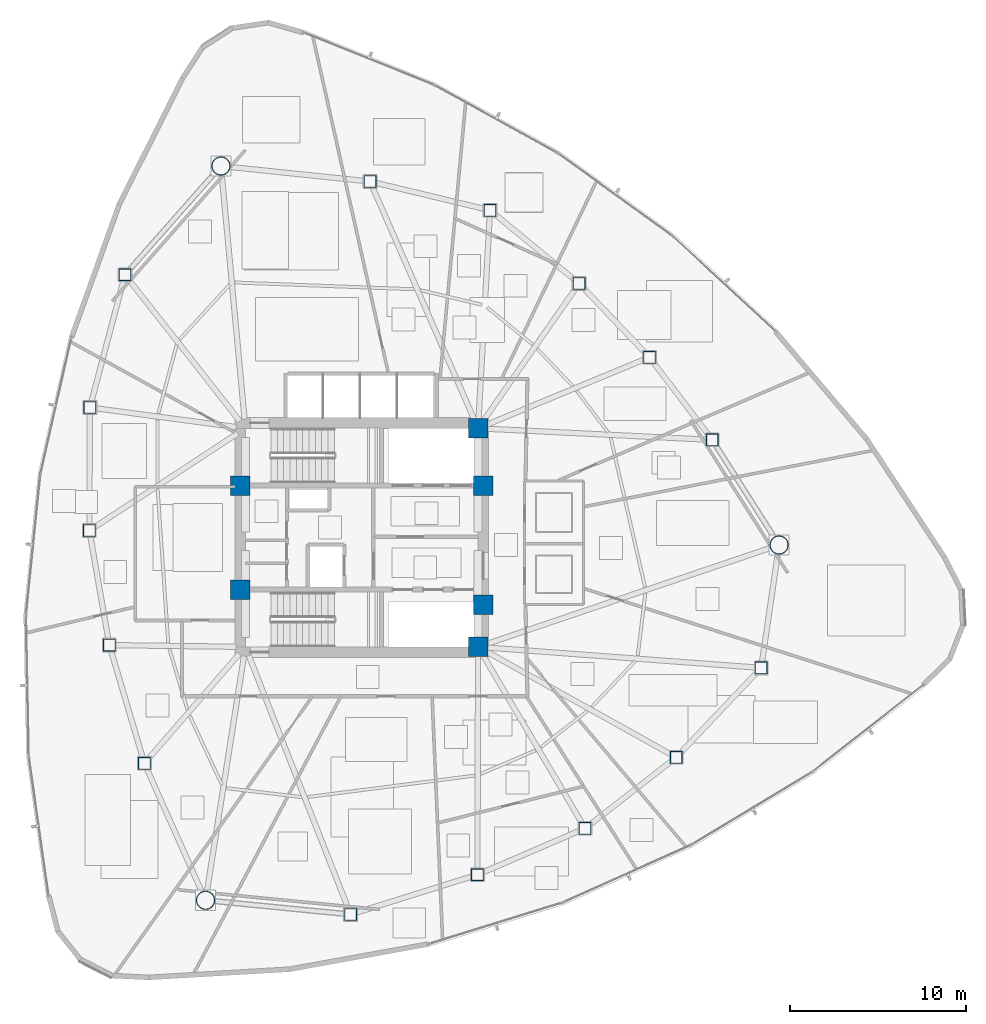
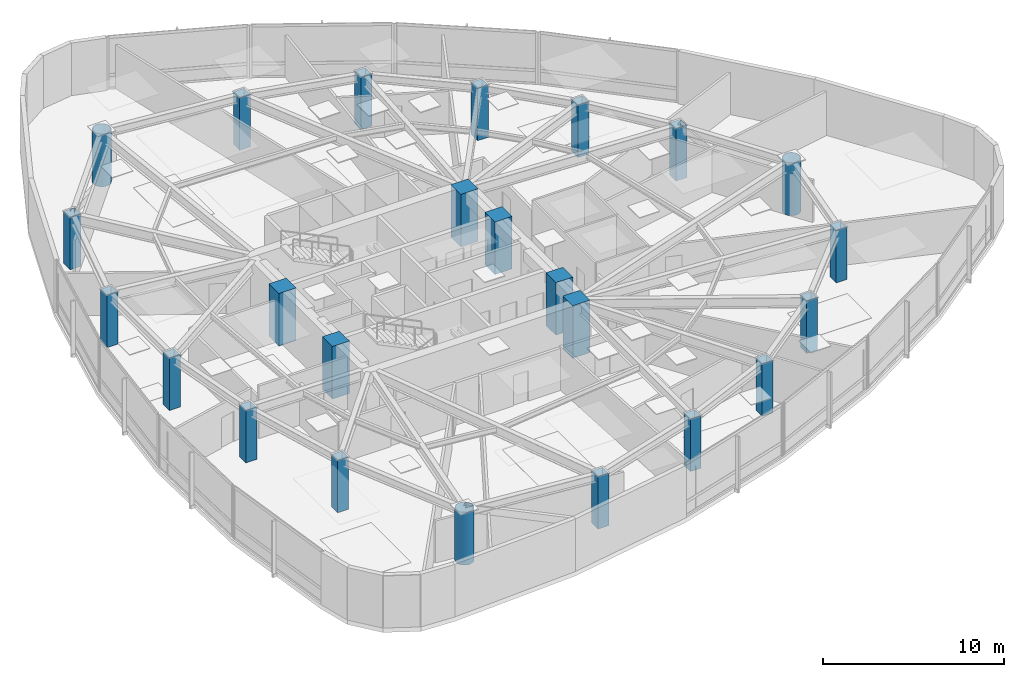
# One storey, part 1 of 17: 24 columns.
"""IFC4 building model written with IfcOpenShell, lengths in metres."""

from ifc_helpers import new_model, si_unit, direction, frame, origin, origin_2d, place, context, subcontext, project, spatial, rectangle, hollow_rectangle, hollow_circle, extrude, material, material_profile, profile_set, type_object, element, save


model = new_model("IFC4")

# Units and contexts
model_context = context("Model", 3, precision=1e-05, world=origin(), true_north=direction((0.0, 1.0)))
body_context = subcontext(model_context, "Body", "Model", "MODEL_VIEW")
ifc_project = project(units=[si_unit("LENGTHUNIT", "METRE"), si_unit("AREAUNIT", "SQUARE_METRE"), si_unit("VOLUMEUNIT", "CUBIC_METRE"), si_unit("PLANEANGLEUNIT", "RADIAN"), si_unit("MASSUNIT", "GRAM", prefix="KILO")], contexts=[model_context])

# Site, building, storey
site_placement = place(None, origin())
site = spatial("IfcSite", under=ifc_project, at=site_placement, CompositionType="ELEMENT")
building_placement = place(site_placement, origin())
building = spatial("IfcBuilding", under=site, at=building_placement, Name="Tavelor Broadcast Tower", CompositionType="ELEMENT")
storey_placement = place(building_placement, frame((0.0, 0.0, 119.449951171875)))
storey = spatial("IfcBuildingStorey", under=building, at=storey_placement, Name="L27", CompositionType="ELEMENT", Elevation=119.449951171875)

# Columns
ifc_material_1 = material(Name="Concrete C60/75", Category="concrete")
ifc_material_profile_1 = material_profile(ifc_material_1, rectangle(XDim=1.10009765625, YDim=1.10009765625, at=origin_2d()), Name="RC 1100x1100")
ifc_profile_set_1 = profile_set([ifc_material_profile_1], Name="Concrete C60/75")
column_type_1 = type_object("IfcColumnType", Name="Core Embedded Composite Column RC1100", PredefinedType="COLUMN", material=ifc_profile_set_1)
for number, where, z_axis, x_axis, name in (
    (1, (43.10009765625, 47.949951171875, 0.0), (0.0, 0.0, 1.0), (1.0, 0.0, 0.0), "L27 Core Embedded Column 1"),
    (2, (56.89990234375, 47.949951171875, 0.0), (0.0, 0.0, 1.0), (1.0, 0.0, 0.0), "L27 Core Embedded Column 2"),
    (3, (56.60009765625, 51.199951171875, 0.0), (0.0, 0.0, 1.0), (1.0, 0.0, 0.0), "L27 Core Embedded Column 3"),
    (4, (43.10009765625, 42.050048828125, 0.0), (0.0, 0.0, 1.0), (1.0, 0.0, 0.0), "L27 Core Embedded Column 4"),
    (5, (56.89990234375, 41.199951171875, 0.0), (0.0, 0.0, 1.0), (1.0, 0.0, 0.0), "L27 Core Embedded Column 5"),
    (6, (56.60009765625, 38.800048828125, 0.0), (0.0, 0.0, 1.0), (1.0, 0.0, 0.0), "L27 Core Embedded Column 6"),
):
    element("IfcColumn", number, at=place(storey_placement, frame(where, z_axis=z_axis, x_axis=x_axis)), inside=storey, type_object=column_type_1, Name=name, PredefinedType="COLUMN", context=body_context, shape_type="SweptSolid", body=[
        extrude(rectangle(XDim=1.10009765625, YDim=1.10009765625, at=origin_2d()), origin(), (0.0, 0.0, 1.0), 3.550048828125),
    ])
ifc_material_2 = material(Name="Steel S460", Category="steel")
ifc_material_profile_2 = material_profile(ifc_material_2, hollow_rectangle(XDim=0.699951171875, YDim=0.699951171875, WallThickness=0.0400390625, at=origin_2d()), Name="SHS 700x700x40")
ifc_profile_set_2 = profile_set([ifc_material_profile_2], Name="Steel S460")
column_type_2 = type_object("IfcColumnType", Name="Perimeter Tube Column T3 SHS 700x700x40", PredefinedType="COLUMN", material=ifc_profile_set_2)
for number, where, z_axis, x_axis, name in (
    (7, (36.567626953125, 59.91064453125, 0.0), (0.0, 0.0, 1.0), (1.0, 0.0, 0.0), "L27 Perimeter Framed-Tube Column 02"),
    (8, (34.5751953125, 52.37939453125, 0.0), (0.0, 0.0, 1.0), (1.0, 0.0, 0.0), "L27 Perimeter Framed-Tube Column 03"),
    (9, (34.54638671875, 45.399169921875, 0.0), (0.0, 0.0, 1.0), (1.0, 0.0, 0.0), "L27 Perimeter Framed-Tube Column 04"),
    (10, (35.680908203125, 38.89990234375, 0.0), (0.0, 0.0, 1.0), (1.0, 0.0, 0.0), "L27 Perimeter Framed-Tube Column 05"),
    (11, (37.668212890625, 32.1904296875, 0.0), (0.0, 0.0, 1.0), (1.0, 0.0, 0.0), "L27 Perimeter Framed-Tube Column 06"),
    (12, (49.366455078125, 23.618896484375, 0.0), (0.0, 0.0, 1.0), (1.0, 0.0, 0.0), "L27 Perimeter Framed-Tube Column 08"),
    (13, (56.56103515625, 25.872802734375, 0.0), (0.0, 0.0, 1.0), (1.0, 0.0, 0.0), "L27 Perimeter Framed-Tube Column 09"),
    (14, (62.669189453125, 28.503173828125, 0.0), (0.0, 0.0, 1.0), (1.0, 0.0, 0.0), "L27 Perimeter Framed-Tube Column 10"),
    (15, (67.84228515625, 32.53173828125, 0.0), (0.0, 0.0, 1.0), (1.0, 0.0, 0.0), "L27 Perimeter Framed-Tube Column 11"),
    (16, (72.6591796875, 37.607421875, 0.0), (0.0, 0.0, 1.0), (1.0, 0.0, 0.0), "L27 Perimeter Framed-Tube Column 12"),
    (17, (69.885986328125, 50.544189453125, 0.0), (0.0, 0.0, 1.0), (1.0, 0.0, 0.0), "L27 Perimeter Framed-Tube Column 14"),
    (18, (66.322021484375, 55.228759765625, 0.0), (0.0, 0.0, 1.0), (1.0, 0.0, 0.0), "L27 Perimeter Framed-Tube Column 15"),
    (19, (62.330810546875, 59.416259765625, 0.0), (0.0, 0.0, 1.0), (1.0, 0.0, 0.0), "L27 Perimeter Framed-Tube Column 16"),
    (20, (57.276611328125, 63.568359375, 0.0), (0.0, 0.0, 1.0), (1.0, 0.0, 0.0), "L27 Perimeter Framed-Tube Column 17"),
    (21, (50.472412109375, 65.2021484375, 0.0), (0.0, 0.0, 1.0), (1.0, 0.0, 0.0), "L27 Perimeter Framed-Tube Column 18"),
):
    element("IfcColumn", number, at=place(storey_placement, frame(where, z_axis=z_axis, x_axis=x_axis)), inside=storey, type_object=column_type_2, Name=name, PredefinedType="COLUMN", context=body_context, shape_type="SweptSolid", body=[
        extrude(hollow_rectangle(XDim=0.699951171875, YDim=0.699951171875, WallThickness=0.0400390625, at=origin_2d()), origin(), (0.0, 0.0, 1.0), 3.550048828125),
    ])
ifc_material_profile_3 = material_profile(ifc_material_2, hollow_circle(Radius=0.533447265625, WallThickness=0.044921875, at=origin_2d()), Name="CHS 1067x45")
ifc_profile_set_3 = profile_set([ifc_material_profile_3], Name="Steel S460")
column_type_3 = type_object("IfcColumnType", Name="Tower Mega Column T3 CHS 1067x45", PredefinedType="COLUMN", material=ifc_profile_set_3)
for number, where, z_axis, x_axis, name in (
    (22, (42.01123046875, 66.080078125, 0.0), (0.0, 0.0, 1.0), (1.0, 0.0, 0.0), "L27 Tower Corner Mega Column 01"),
    (23, (41.138671875, 24.423828125, 0.0), (0.0, 0.0, 1.0), (1.0, 0.0, 0.0), "L27 Tower Corner Mega Column 07"),
    (24, (73.676025390625, 44.57958984375, 0.0), (0.0, 0.0, 1.0), (1.0, 0.0, 0.0), "L27 Tower Corner Mega Column 13"),
):
    element("IfcColumn", number, at=place(storey_placement, frame(where, z_axis=z_axis, x_axis=x_axis)), inside=storey, type_object=column_type_3, Name=name, PredefinedType="COLUMN", context=body_context, shape_type="SweptSolid", body=[
        extrude(hollow_circle(Radius=0.533447265625, WallThickness=0.044921875, at=origin_2d()), origin(), (0.0, 0.0, 1.0), 3.550048828125),
    ])

save(model, "model.ifc")
